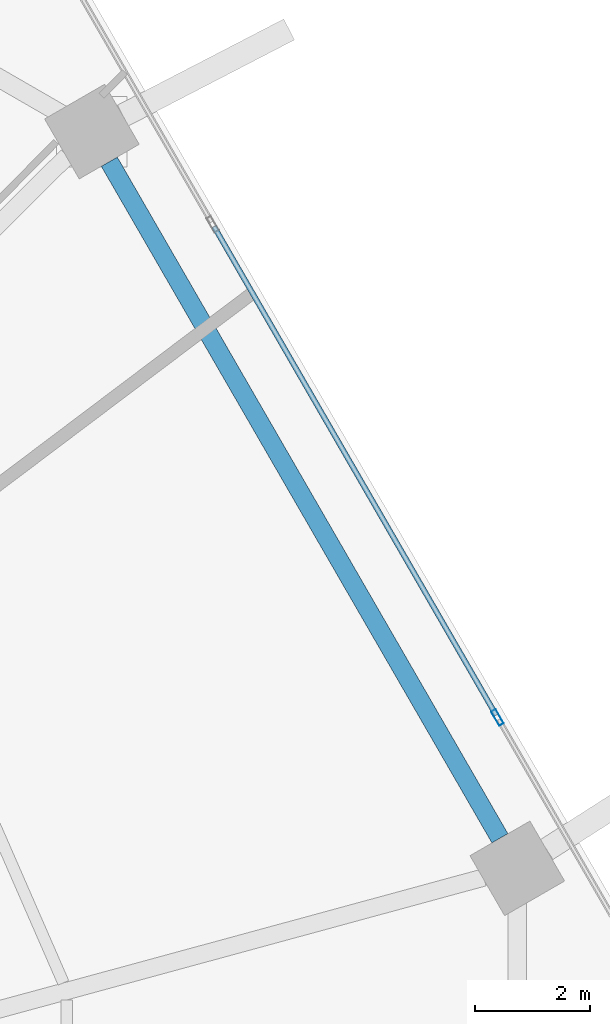
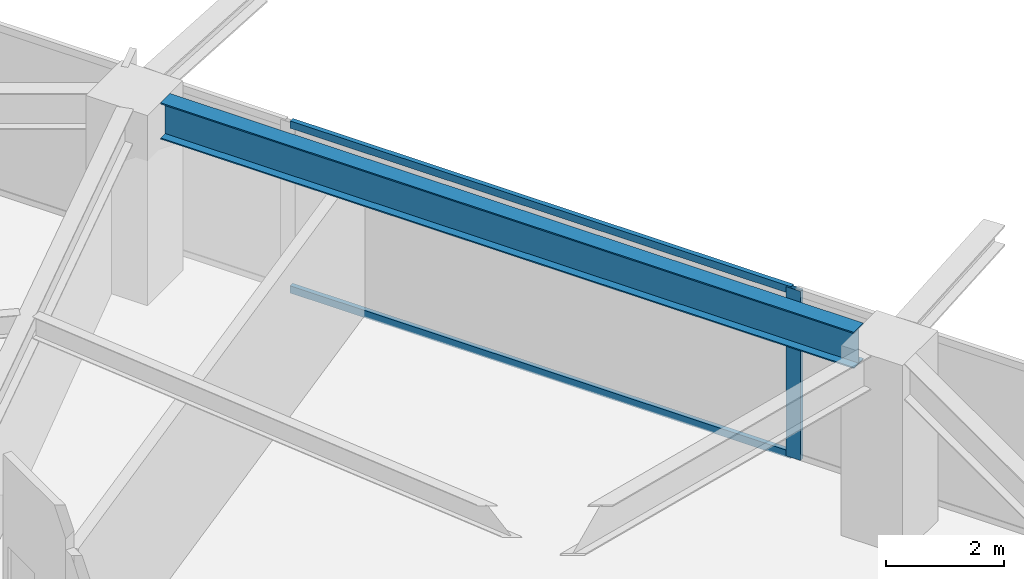
# One storey, part 17 of 26: 3 members, 1 beam, 1 element without a shape of its own.
"""IFC4 building model written with IfcOpenShell, lengths in metres."""

from ifc_helpers import new_model, si_unit, direction, frame, origin, origin_2d, place, context, subcontext, project, spatial, hollow_rectangle, i_section, extrude, material, material_profile, profile_set, type_object, element, aggregate, save


model = new_model("IFC4")

# Units and contexts
model_context = context("Model", 3, precision=1e-05, world=origin(), true_north=direction((0.0, 1.0)))
body_context = subcontext(model_context, "Body", "Model", "MODEL_VIEW")
ifc_project = project(units=[si_unit("LENGTHUNIT", "METRE"), si_unit("AREAUNIT", "SQUARE_METRE"), si_unit("VOLUMEUNIT", "CUBIC_METRE"), si_unit("PLANEANGLEUNIT", "RADIAN"), si_unit("MASSUNIT", "GRAM", prefix="KILO")], contexts=[model_context])

# Site, building, storey
site_placement = place(None, origin())
site = spatial("IfcSite", under=ifc_project, at=site_placement, CompositionType="ELEMENT")
building_placement = place(site_placement, origin())
building = spatial("IfcBuilding", under=site, at=building_placement, Name="Zuhravey Tower", CompositionType="ELEMENT")
storey_placement = place(building_placement, frame((0.0, 0.0, 28.800048828125)))
storey = spatial("IfcBuildingStorey", under=building, at=storey_placement, Name="L07", CompositionType="ELEMENT", Elevation=28.800048828125)

# Curtain wall, members
ifc_material_1 = material(Name="Thermally broken anodised aluminium", Category="aluminium")
curtain_wall_type = type_object("IfcCurtainWallType", Name="School Low-E Unitised Curtain Wall CW1", PredefinedType="NOTDEFINED", material=ifc_material_1)
curtain_wall_placement = place(storey_placement, origin())
curtain_wall = element("IfcCurtainWall", 1, at=curtain_wall_placement, inside=storey, type_object=curtain_wall_type, Name="L07 CW1 CW-L07-F1-1", PredefinedType="NOTDEFINED")
ifc_material_2 = material(Name="Anodised aluminium", Category="aluminium")
ifc_material_profile_1 = material_profile(ifc_material_2, hollow_rectangle(XDim=0.090087890625, YDim=0.284912109375, WallThickness=0.0048828125, at=origin_2d()), Name="ALU-RHS-90x285x5")
ifc_profile_set_1 = profile_set([ifc_material_profile_1], Name="Anodised aluminium")
member_type_1 = type_object("IfcMemberType", Name="Curtain-Wall Mullion 90x180", PredefinedType="MULLION", material=ifc_profile_set_1)
member_1_placement = place(storey_placement, frame((63.54541015625, 42.20703125, 0.0), z_axis=(0.0, 0.0, 1.0), x_axis=(0.86602552265, 0.499999794119, 0.0)))
member_1 = element("IfcMember", 2, at=member_1_placement, type_object=member_type_1, Name="CW1 mullion 3", PredefinedType="MULLION", context=body_context, shape_type="SweptSolid", body=[
    extrude(hollow_rectangle(XDim=0.090087890625, YDim=0.284912109375, WallThickness=0.0048828125, at=origin_2d()), origin(), (0.0, 0.0, 1.0), 3.491943359375),
])
ifc_material_profile_2 = material_profile(ifc_material_2, hollow_rectangle(XDim=0.090087890625, YDim=0.14990234375, WallThickness=0.0048828125, at=origin_2d()), Name="ALU-RHS-90x150x5")
ifc_profile_set_2 = profile_set([ifc_material_profile_2], Name="Anodised aluminium")
member_type_2 = type_object("IfcMemberType", Name="Curtain-Wall Transom 90x150", PredefinedType="USERDEFINED", material=ifc_profile_set_2)
member_2_placement = place(storey_placement, frame((58.634765625, 50.712646484375, 0.044921875), z_axis=(0.499990498062, -0.866030889661, 0.0), x_axis=(0.866030889661, 0.499990498062, 0.0)))
member_2 = element("IfcMember", 3, at=member_2_placement, type_object=member_type_2, Name="CW1 transom 2.1", ObjectType="TRANSOM", PredefinedType="USERDEFINED", context=body_context, shape_type="SweptSolid", body=[
    extrude(hollow_rectangle(XDim=0.090087890625, YDim=0.14990234375, WallThickness=0.0048828125, at=origin_2d()), origin(), (0.0, 0.0, 1.0), 9.776611328125),
])
member_3_placement = place(storey_placement, frame((58.634765625, 50.712646484375, 3.447021484375), z_axis=(0.499990498062, -0.866030889661, 0.0), x_axis=(0.866030889661, 0.499990498062, 0.0)))
member_3 = element("IfcMember", 4, at=member_3_placement, type_object=member_type_2, Name="CW1 transom 2.2", ObjectType="TRANSOM", PredefinedType="USERDEFINED", context=body_context, shape_type="SweptSolid", body=[
    extrude(hollow_rectangle(XDim=0.090087890625, YDim=0.14990234375, WallThickness=0.0048828125, at=origin_2d()), origin(), (0.0, 0.0, 1.0), 9.776611328125),
])
aggregate(curtain_wall, [member_1, member_2, member_3])

# Beam
ifc_material_3 = material(Name="Steel SM355", Category="steel")
ifc_material_profile_3 = material_profile(ifc_material_3, i_section(OverallWidth=0.320068359375, OverallDepth=0.75, WebThickness=0.013916015625, FlangeThickness=0.02490234375, at=origin_2d()), Name="H-750x320x14x25")
ifc_profile_set_3 = profile_set([ifc_material_profile_3], Name="Steel SM355")
beam_type = type_object("IfcBeamType", Name="Perimeter Ring Beam H750x320", PredefinedType="BEAM", material=ifc_profile_set_3)
beam_placement = place(storey_placement, frame((63.587646484375, 40.11376953125, 3.544921875), z_axis=(-0.499999877243, 0.866025474658, 0.0), x_axis=(-0.866025474658, -0.499999877243, 0.0)))
element("IfcBeam", 5, at=beam_placement, inside=storey, type_object=beam_type, Name="L07 PB1 BM-L07-PB-01", PredefinedType="BEAM", context=body_context, shape_type="SweptSolid", body=[
    extrude(i_section(OverallWidth=0.320068359375, OverallDepth=0.75, WebThickness=0.013916015625, FlangeThickness=0.02490234375, at=origin_2d()), origin(), (0.0, 0.0, 1.0), 13.5341796875),
])

save(model, "model.ifc")
